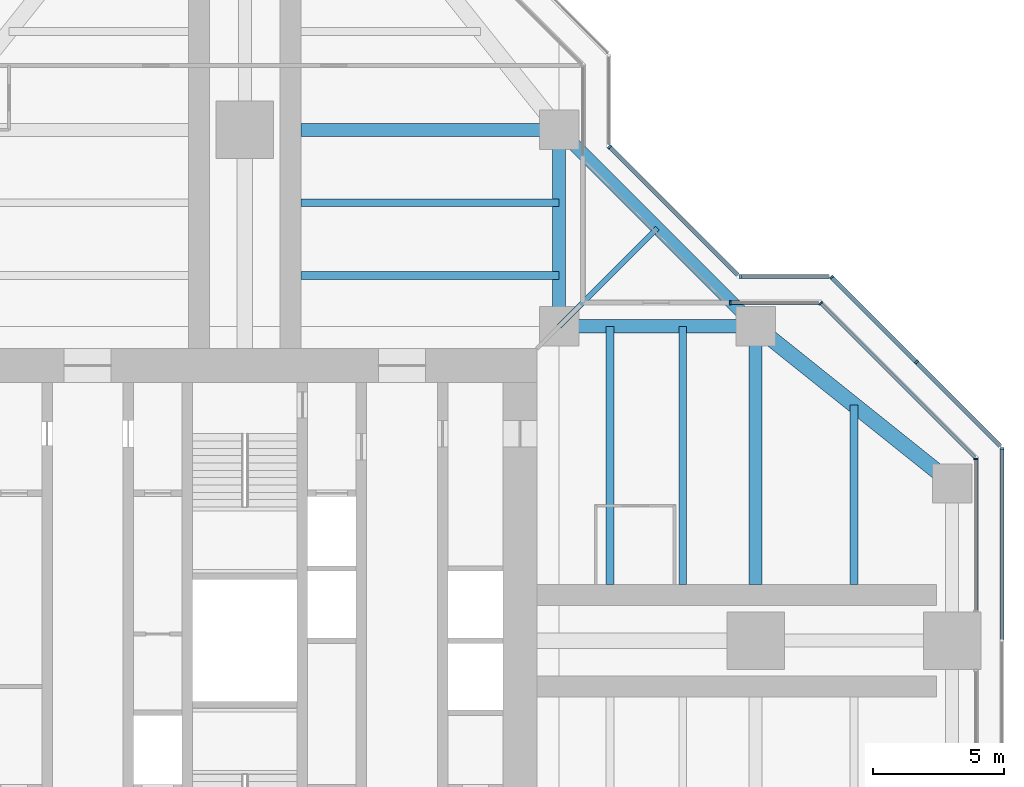
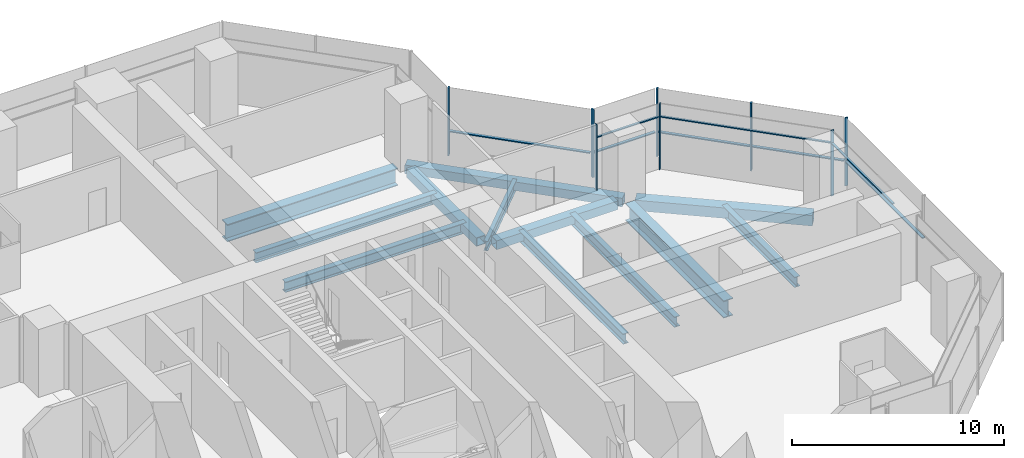
# One storey, part 8 of 17: 16 members, 12 beams, 7 elements without a shape of their own.
"""IFC4 building model written with IfcOpenShell, lengths in metres."""

import ifcopenshell
import ifcopenshell.guid

model = None  # the IFC model being written
_history = None  # IfcOwnerHistory: only IFC2X3 demands one
_inside = {}  # id of a spatial element -> (the spatial element, [elements in it])
_under = {}  # id of a project, library or spatial element -> (it, [spatial elements below it])
_declared = {}  # id of a project -> (the project, [libraries it declares])
_typed = {}  # id of a type object -> (the type object, [elements of that type])
_made_of = {}  # id of a material, layer set ... -> (it, [elements and type objects made of it])


def new_model(schema):
    """Start an empty IFC model of exactly this schema.

    Asked for "IFC4X3", IfcOpenShell would pick the latest addendum, in which some entities
    have other attributes; the version numbers below select the first issue.
    IFC2X3 requires an IfcOwnerHistory on every rooted entity: one is made here for all.
    """
    global model, _history
    if schema == "IFC4X3":
        model = ifcopenshell.file(schema_version=(4, 3, 0, 0))
    else:
        model = ifcopenshell.file(schema=schema)
    _inside.clear()
    _under.clear()
    _declared.clear()
    _typed.clear()
    _made_of.clear()
    _history = None
    if model.schema == "IFC2X3":
        org = make("IfcOrganization", Name="unknown")
        user = make(
            "IfcPersonAndOrganization",
            ThePerson=make("IfcPerson", FamilyName="unknown"),
            TheOrganization=org,
        )
        app = make(
            "IfcApplication",
            ApplicationDeveloper=org,
            Version="unknown",
            ApplicationFullName="unknown",
            ApplicationIdentifier="unknown",
        )
        _history = make(
            "IfcOwnerHistory",
            OwningUser=user,
            OwningApplication=app,
            ChangeAction="ADDED",
            CreationDate=0,
        )
    return model


def make(cls, **values):
    """One entity of the class cls with the attributes given. An attribute that is None is left unset."""
    return model.create_entity(
        cls, **{name: value for name, value in values.items() if value is not None}
    )


def rooted(cls, **values):
    """An entity with a GlobalId (a new one), such as an element, a storey or a relation."""
    return make(cls, GlobalId=ifcopenshell.guid.new(), OwnerHistory=_history, **values)


def si_unit(unit_type, name, prefix=None):
    """IfcSIUnit, for example si_unit("LENGTHUNIT", "METRE", prefix="MILLI")."""
    return make("IfcSIUnit", UnitType=unit_type, Prefix=prefix, Name=name)


def assignment(units):
    """IfcUnitAssignment: the units of a project."""
    return None if units is None else make("IfcUnitAssignment", Units=units)


def point(xyz):
    """IfcCartesianPoint."""
    return None if xyz is None else make("IfcCartesianPoint", Coordinates=xyz)


def direction(xyz):
    """IfcDirection."""
    return None if xyz is None else make("IfcDirection", DirectionRatios=xyz)


def frame(location, z_axis=None, x_axis=None):
    """IfcAxis2Placement3D, a coordinate frame: its origin and axes. An axis left out is left unset."""
    return make(
        "IfcAxis2Placement3D",
        Location=point(location),
        Axis=direction(z_axis),
        RefDirection=direction(x_axis),
    )


def frame_2d(location, x_axis=None):
    """IfcAxis2Placement2D, a coordinate frame in the plane: its origin and x axis."""
    return make(
        "IfcAxis2Placement2D", Location=point(location), RefDirection=direction(x_axis)
    )


def origin():
    """The frame at (0, 0, 0) with its axes left unset."""
    return frame((0.0, 0.0, 0.0))


def origin_2d():
    """The frame at (0, 0) in the plane with its x axis left unset."""
    return frame_2d((0.0, 0.0))


def place(relative_to, where):
    """IfcLocalPlacement: puts the frame where relative to a parent placement (None: the world)."""
    return make(
        "IfcLocalPlacement", PlacementRelTo=relative_to, RelativePlacement=where
    )


def context(
    kind, dimensions, precision=None, world=None, true_north=None, identifier=None
):
    """IfcGeometricRepresentationContext, for example the 3D "Model" context."""
    return make(
        "IfcGeometricRepresentationContext",
        ContextIdentifier=identifier,
        ContextType=kind,
        CoordinateSpaceDimension=dimensions,
        Precision=precision,
        WorldCoordinateSystem=world,
        TrueNorth=true_north,
    )


def subcontext(parent, identifier, kind, view, scale=None):
    """IfcGeometricRepresentationSubContext, for example "Body" below "Model"."""
    return make(
        "IfcGeometricRepresentationSubContext",
        ContextIdentifier=identifier,
        ContextType=kind,
        ParentContext=parent,
        TargetScale=scale,
        TargetView=view,
    )


def project(units=None, contexts=None):
    """IfcProject with its units and contexts."""
    return rooted(
        "IfcProject",
        Name="project",
        RepresentationContexts=contexts,
        UnitsInContext=assignment(units),
    )


def spatial(cls, under=None, at=None, **own):
    """A site, building, storey or space (cls), placed at a placement, below another one or the project."""
    s = rooted(cls, ObjectPlacement=at, **own)
    if under is not None:
        _under.setdefault(under.id(), (under, []))[1].append(s)
    return s


def profile(cls, at=None, kind="AREA", **sizes):
    """A parametric profile (cls). Its sizes go by their IFC names, for example OverallWidth=200.0."""
    return make(cls, ProfileType=kind, Position=at, **sizes)


def rectangle(**sizes):
    """IfcRectangleProfileDef."""
    return profile("IfcRectangleProfileDef", **sizes)


def hollow_rectangle(**sizes):
    """IfcRectangleHollowProfileDef."""
    return profile("IfcRectangleHollowProfileDef", **sizes)


def i_section(**sizes):
    """IfcIShapeProfileDef."""
    return profile("IfcIShapeProfileDef", **sizes)


def extrude(swept, where, along, depth):
    """IfcExtrudedAreaSolid: the profile swept, set in the frame where, extruded along a direction by depth."""
    return make(
        "IfcExtrudedAreaSolid",
        SweptArea=swept,
        Position=where,
        ExtrudedDirection=direction(along),
        Depth=depth,
    )


def shape(context_of_items, identifier, shape_type, items):
    """IfcShapeRepresentation: the items that make up one representation, for example the "Body"."""
    return make(
        "IfcShapeRepresentation",
        ContextOfItems=context_of_items,
        RepresentationIdentifier=identifier,
        RepresentationType=shape_type,
        Items=items,
    )


def material(Name=None, Category=None):
    """IfcMaterial."""
    return make("IfcMaterial", Name=Name, Category=Category)


def material_profile(
    of_material, cross_section, Name=None, Category=None, Priority=None
):
    """IfcMaterialProfile: a cross section and its material."""
    return make(
        "IfcMaterialProfile",
        Name=Name,
        Material=of_material,
        Profile=cross_section,
        Priority=Priority,
        Category=Category,
    )


def profile_set(profiles, Name=None, composite=None):
    """IfcMaterialProfileSet."""
    return make(
        "IfcMaterialProfileSet",
        Name=Name,
        MaterialProfiles=profiles,
        CompositeProfile=composite,
    )


def made_of(thing, what):
    """Note that an element or type object is made of a material, layer set ...; save() writes the relation."""
    if what is not None:
        _made_of.setdefault(what.id(), (what, []))[1].append(thing)
    return thing


def type_object(cls, material=None, **own):
    """A type object (cls), such as IfcWallType, which elements share."""
    return made_of(rooted(cls, **own), material)


def element(
    cls,
    number,
    at=None,
    inside=None,
    cuts=None,
    type_object=None,
    material=None,
    context=None,
    identifier="Body",
    shape_type=None,
    held_by="IfcProductDefinitionShape",
    body=None,
    shapes=None,
    **own,
):
    """One element of the class cls, such as IfcWall. Its Tag is "e" and its number.

    at: its placement. inside: the storey or other place that contains it. cuts: it is an
    opening in that element (IfcRelVoidsElement). A single representation is given by context,
    identifier, shape_type and body (its items); several are given by shapes. held_by: the class
    of the entity that holds the representations. save() writes the other relations.
    """
    e = rooted(cls, Tag="e%d" % number, ObjectPlacement=at, **own)
    if body is not None:
        shapes = [shape(context, identifier, shape_type, body)]
    if shapes is not None:
        e.Representation = make(held_by, Representations=shapes)
    if inside is not None:
        _inside.setdefault(inside.id(), (inside, []))[1].append(e)
    if cuts is not None:
        rooted(
            "IfcRelVoidsElement", RelatingBuildingElement=cuts, RelatedOpeningElement=e
        )
    if type_object is not None:
        _typed.setdefault(type_object.id(), (type_object, []))[1].append(e)
    return made_of(e, material)


def aggregate(whole, parts):
    """IfcRelAggregates: a whole, such as a stair, and the parts it consists of."""
    return rooted("IfcRelAggregates", RelatingObject=whole, RelatedObjects=parts)


def save(model, path):
    """Write the relations noted so far, then the file.

    IfcRelAggregates (storeys below a building ...), IfcRelContainedInSpatialStructure (elements
    in a storey), IfcRelDefinesByType, IfcRelAssociatesMaterial and IfcRelDeclares: one each for
    every whole, place, type object, material and project.
    """
    for whole, parts in _under.values():
        aggregate(whole, parts)
    for where, things in _inside.values():
        rooted(
            "IfcRelContainedInSpatialStructure",
            RelatedElements=things,
            RelatingStructure=where,
        )
    for kind, things in _typed.values():
        rooted("IfcRelDefinesByType", RelatedObjects=things, RelatingType=kind)
    for what, things in _made_of.values():
        rooted("IfcRelAssociatesMaterial", RelatedObjects=things, RelatingMaterial=what)
    for by, libraries in _declared.values():
        rooted("IfcRelDeclares", RelatingContext=by, RelatedDefinitions=libraries)
    model.write(path)


model = new_model("IFC4")

# Units and contexts
model_context = context("Model", 3, precision=1e-05, world=origin(), true_north=direction((0.0, 1.0)))
body_context = subcontext(model_context, "Body", "Model", "MODEL_VIEW")
ifc_project = project(units=[si_unit("LENGTHUNIT", "METRE"), si_unit("AREAUNIT", "SQUARE_METRE"), si_unit("VOLUMEUNIT", "CUBIC_METRE"), si_unit("PLANEANGLEUNIT", "RADIAN"), si_unit("MASSUNIT", "GRAM", prefix="KILO")], contexts=[model_context])

# Site, building, storey
site_placement = place(None, origin())
site = spatial("IfcSite", under=ifc_project, at=site_placement, CompositionType="ELEMENT")
building_placement = place(site_placement, origin())
building = spatial("IfcBuilding", under=site, at=building_placement, Name="Mizan Broadcast Tower", CompositionType="ELEMENT")
storey_placement = place(building_placement, frame((0.0, 0.0, 263.39990234375)))
storey = spatial("IfcBuildingStorey", under=building, at=storey_placement, Name="L62", CompositionType="ELEMENT", Elevation=263.39990234375)

# Beams
ifc_material_1 = material(Name="Steel S355", Category="steel")
ifc_material_profile_1 = material_profile(ifc_material_1, hollow_rectangle(XDim=0.5, YDim=0.5, WallThickness=0.030029296875, at=origin_2d()), Name="BOX 500x500x30")
ifc_profile_set_1 = profile_set([ifc_material_profile_1], Name="Steel S355")
beam_type_1 = type_object("IfcBeamType", Name="EDGE BEAM BOX 500x500x30", PredefinedType="SPANDREL", material=ifc_profile_set_1)
for number, where, z_axis, x_axis, name in (
    (1, (12.449951171875, 12.0, -0.3798828125), (1.0, 0.0, 0.0), (0.0, 1.0, 0.0), "Edge beam BOX 500x500x30 L62 east arm"),
    (2, (12.0, 12.449951171875, -0.3798828125), (0.0, 1.0, 0.0), (-1.0, 0.0, 0.0), "Edge beam BOX 500x500x30 L62 north arm"),
):
    element("IfcBeam", number, at=place(storey_placement, frame(where, z_axis=z_axis, x_axis=x_axis)), inside=storey, type_object=beam_type_1, Name=name, PredefinedType="SPANDREL", context=body_context, shape_type="SweptSolid", body=[
        extrude(hollow_rectangle(XDim=0.5, YDim=0.5, WallThickness=0.030029296875, at=origin_2d()), origin(), (0.0, 0.0, 1.0), 6.60009765625),
    ])
beam_1_placement = place(storey_placement, frame((19.5, 12.0, -0.3798828125), z_axis=(-0.707106781187, 0.707106781187, 0.0), x_axis=(-0.707106781187, -0.707106781187, 0.0)))
element("IfcBeam", 3, at=beam_1_placement, inside=storey, type_object=beam_type_1, Name="Winter garden edge beam L62 E", PredefinedType="SPANDREL", context=body_context, shape_type="SweptSolid", body=[
    extrude(hollow_rectangle(XDim=0.5, YDim=0.5, WallThickness=0.030029296875, at=origin_2d()), origin(), (0.0, 0.0, 1.0), 10.606689453125),
])
ifc_material_2 = material(Name="Steel S355", Category="steel")
ifc_material_profile_2 = material_profile(ifc_material_2, hollow_rectangle(XDim=0.60009765625, YDim=0.60009765625, WallThickness=0.030029296875, at=origin_2d()), Name="BOX 600x600x30")
ifc_profile_set_2 = profile_set([ifc_material_profile_2], Name="Steel S355")
beam_type_2 = type_object("IfcBeamType", Name="EDGE BEAM BOX 600x600x30", PredefinedType="SPANDREL", material=ifc_profile_set_2)
beam_2_placement = place(storey_placement, frame((19.949951171875, 11.639892578125, -0.429931640625), z_axis=(0.780885717636, -0.624673911726, 0.0), x_axis=(0.624673911726, 0.780885717636, 0.0)))
element("IfcBeam", 4, at=beam_2_placement, inside=storey, type_object=beam_type_2, Name="Edge beam BOX 600x600x30 L62 east arm", PredefinedType="SPANDREL", context=body_context, shape_type="SweptSolid", body=[
    extrude(hollow_rectangle(XDim=0.60009765625, YDim=0.60009765625, WallThickness=0.030029296875, at=origin_2d()), origin(), (0.0, 0.0, 1.0), 8.4521484375),
])
ifc_material_3 = material(Name="Steel S460", Category="steel")
ifc_material_profile_3 = material_profile(ifc_material_3, i_section(OverallWidth=0.5, OverallDepth=1.0, WebThickness=0.02490234375, FlangeThickness=0.050048828125, at=origin_2d()), Name="WPG 1000x500")
ifc_profile_set_3 = profile_set([ifc_material_profile_3], Name="Steel S460")
beam_type_3 = type_object("IfcBeamType", Name="GIRDER WPG 1000x500", PredefinedType="BEAM", material=ifc_profile_set_3)
for number, where, z_axis, x_axis, name in (
    (5, (19.5, 11.408935546875, -0.6298828125), (0.0, -1.0, 0.0), (1.0, 0.0, 0.0), "Girder WPG 1000x500 L62 east arm"),
    (6, (11.408935546875, 19.5, -0.6298828125), (-1.0, 0.0, 0.0), (0.0, -1.0, 0.0), "Girder WPG 1000x500 L62 north arm"),
):
    element("IfcBeam", number, at=place(storey_placement, frame(where, z_axis=z_axis, x_axis=x_axis)), inside=storey, type_object=beam_type_3, Name=name, PredefinedType="BEAM", context=body_context, shape_type="SweptSolid", body=[
        extrude(i_section(OverallWidth=0.5, OverallDepth=1.0, WebThickness=0.02490234375, FlangeThickness=0.050048828125, at=origin_2d()), origin(), (0.0, 0.0, 1.0), 9.259033203125),
    ])

# Curtain wall, member
ifc_material_4 = material(Name="Aluminium framed glazing", Category="aluminium")
curtain_wall_type_1 = type_object("IfcCurtainWallType", Name="INNER SKIN HIGH ZONE", PredefinedType="USERDEFINED", material=ifc_material_4)
curtain_wall_1_placement = place(storey_placement, origin())
curtain_wall_1 = element("IfcCurtainWall", 7, at=curtain_wall_1_placement, inside=storey, type_object=curtain_wall_type_1, Name="Inner skin high zone L62 E end", ObjectType="INNER SKIN HIGH ZONE", PredefinedType="USERDEFINED")
ifc_material_5 = material(Name="Aluminium, pale anodised", Category="aluminium")
ifc_material_profile_4 = material_profile(ifc_material_5, rectangle(XDim=0.159912109375, YDim=0.06005859375, at=origin_2d()), Name="MULLION 160x60")
ifc_profile_set_4 = profile_set([ifc_material_profile_4], Name="Aluminium, pale anodised")
member_type_1 = type_object("IfcMemberType", Name="INNER SKIN MULLION 60x160", PredefinedType="MULLION", material=ifc_profile_set_4)
member_1_placement = place(storey_placement, frame((27.89990234375, 6.928466796875, 0.0), z_axis=(0.0, 0.0, 1.0), x_axis=(-1.0, 0.0, 0.0)))
member_1 = element("IfcMember", 8, at=member_1_placement, type_object=member_type_1, Name="Inner skin high zone L62 E end mullion 2", PredefinedType="MULLION", context=body_context, shape_type="SweptSolid", body=[
    extrude(rectangle(XDim=0.159912109375, YDim=0.06005859375, at=origin_2d()), origin(), (0.0, 0.0, 1.0), 3.77001953125),
])

curtain_wall_2_placement = place(storey_placement, origin())
curtain_wall_2 = element("IfcCurtainWall", 9, at=curtain_wall_2_placement, inside=storey, type_object=curtain_wall_type_1, Name="Inner skin high zone L62 E chamfer", ObjectType="INNER SKIN HIGH ZONE", PredefinedType="USERDEFINED")
member_2_placement = place(storey_placement, frame((21.979736328125, 12.87890625, 0.0), z_axis=(0.0, 0.0, 1.0), x_axis=(-0.707106781187, -0.707106781187, 0.0)))
member_2 = element("IfcMember", 10, at=member_2_placement, type_object=member_type_1, Name="Inner skin high zone L62 E chamfer mullion 2", PredefinedType="MULLION", context=body_context, shape_type="SweptSolid", body=[
    extrude(rectangle(XDim=0.159912109375, YDim=0.06005859375, at=origin_2d()), origin(), (0.0, 0.0, 1.0), 3.77001953125),
])

curtain_wall_3_placement = place(storey_placement, origin())
curtain_wall_3 = element("IfcCurtainWall", 11, at=curtain_wall_3_placement, inside=storey, type_object=curtain_wall_type_1, Name="Inner skin high zone L62 E side", ObjectType="INNER SKIN HIGH ZONE", PredefinedType="USERDEFINED")
member_3_placement = place(storey_placement, frame((18.530029296875, 12.89990234375, 0.0), z_axis=(0.0, 0.0, 1.0), x_axis=(0.0, -1.0, 0.0)))
member_3 = element("IfcMember", 12, at=member_3_placement, type_object=member_type_1, Name="Inner skin high zone L62 E side mullion 2", PredefinedType="MULLION", context=body_context, shape_type="SweptSolid", body=[
    extrude(rectangle(XDim=0.159912109375, YDim=0.06005859375, at=origin_2d()), origin(), (0.0, 0.0, 1.0), 3.77001953125),
])

# Member
ifc_material_6 = material(Name="Aluminium, pale anodised", Category="aluminium")
ifc_material_profile_5 = material_profile(ifc_material_6, rectangle(XDim=0.1201171875, YDim=0.06005859375, at=origin_2d()), Name="TRANSOM 120x60")
ifc_profile_set_5 = profile_set([ifc_material_profile_5], Name="Aluminium, pale anodised")
member_type_2 = type_object("IfcMemberType", Name="INNER SKIN TRANSOM 60x120", PredefinedType="USERDEFINED", material=ifc_profile_set_5)
member_4_placement = place(storey_placement, frame((27.89990234375, 1.159912109375, 3.030029296875), z_axis=(0.0, 1.0, 0.0), x_axis=(-1.0, 0.0, 0.0)))
member_4 = element("IfcMember", 13, at=member_4_placement, type_object=member_type_2, Name="Inner skin high zone L62 E end transom 1.1", ObjectType="TRANSOM", PredefinedType="USERDEFINED", context=body_context, shape_type="SweptSolid", body=[
    extrude(rectangle(XDim=0.1201171875, YDim=0.06005859375, at=origin_2d()), origin(), (0.0, 0.0, 1.0), 5.73876953125),
])

aggregate(curtain_wall_1, [member_1, member_4])

member_5_placement = place(storey_placement, frame((27.857666015625, 7.0009765625, 3.030029296875), z_axis=(-0.707106781187, 0.707106781187, 0.0), x_axis=(-0.707106781187, -0.707106781187, 0.0)))
member_5 = element("IfcMember", 14, at=member_5_placement, type_object=member_type_2, Name="Inner skin high zone L62 E chamfer transom 1.1", ObjectType="TRANSOM", PredefinedType="USERDEFINED", context=body_context, shape_type="SweptSolid", body=[
    extrude(rectangle(XDim=0.1201171875, YDim=0.06005859375, at=origin_2d()), origin(), (0.0, 0.0, 1.0), 8.28271484375),
])

aggregate(curtain_wall_2, [member_2, member_5])

member_6_placement = place(storey_placement, frame((21.898681640625, 12.89990234375, 3.030029296875), z_axis=(-1.0, 0.0, 0.0), x_axis=(0.0, -1.0, 0.0)))
member_6 = element("IfcMember", 15, at=member_6_placement, type_object=member_type_2, Name="Inner skin high zone L62 E side transom 1.1", ObjectType="TRANSOM", PredefinedType="USERDEFINED", context=body_context, shape_type="SweptSolid", body=[
    extrude(rectangle(XDim=0.1201171875, YDim=0.06005859375, at=origin_2d()), origin(), (0.0, 0.0, 1.0), 3.338623046875),
])

aggregate(curtain_wall_3, [member_3, member_6])

# Curtain wall, member
ifc_material_7 = material(Name="Aluminium framed glazing", Category="aluminium")
curtain_wall_type_2 = type_object("IfcCurtainWallType", Name="OUTER SKIN", PredefinedType="USERDEFINED", material=ifc_material_7)
curtain_wall_4_placement = place(storey_placement, origin())
curtain_wall_4 = element("IfcCurtainWall", 16, at=curtain_wall_4_placement, inside=storey, type_object=curtain_wall_type_2, Name="Outer skin L62 E end", ObjectType="OUTER SKIN", PredefinedType="USERDEFINED")
ifc_material_8 = material(Name="Aluminium, pale anodised", Category="aluminium")
ifc_material_profile_6 = material_profile(ifc_material_8, rectangle(XDim=0.159912109375, YDim=0.080078125, at=origin_2d()), Name="MULLION 160x80")
ifc_profile_set_6 = profile_set([ifc_material_profile_6], Name="Aluminium, pale anodised")
member_type_3 = type_object("IfcMemberType", Name="OUTER SKIN MULLION 80x160", PredefinedType="MULLION", material=ifc_profile_set_6)
member_7_placement = place(storey_placement, frame((28.89990234375, 7.332763671875, 0.0), z_axis=(0.0, 0.0, 1.0), x_axis=(-1.0, 0.0, 0.0)))
member_7 = element("IfcMember", 17, at=member_7_placement, type_object=member_type_3, Name="Outer skin L62 E end mullion 3", PredefinedType="MULLION", context=body_context, shape_type="SweptSolid", body=[
    extrude(rectangle(XDim=0.159912109375, YDim=0.080078125, at=origin_2d()), origin(), (0.0, 0.0, 1.0), 3.900146484375),
])

# Curtain wall, members
curtain_wall_5_placement = place(storey_placement, origin())
curtain_wall_5 = element("IfcCurtainWall", 18, at=curtain_wall_5_placement, inside=storey, type_object=curtain_wall_type_2, Name="Outer skin L62 E chamfer", ObjectType="OUTER SKIN", PredefinedType="USERDEFINED")
member_8_placement = place(storey_placement, frame((25.636474609375, 10.636474609375, 0.0), z_axis=(0.0, 0.0, 1.0), x_axis=(-0.707106781187, -0.707106781187, 0.0)))
member_8 = element("IfcMember", 19, at=member_8_placement, type_object=member_type_3, Name="Outer skin L62 E chamfer mullion 2", PredefinedType="MULLION", context=body_context, shape_type="SweptSolid", body=[
    extrude(rectangle(XDim=0.159912109375, YDim=0.080078125, at=origin_2d()), origin(), (0.0, 0.0, 1.0), 3.900146484375),
])
member_9_placement = place(storey_placement, frame((22.401123046875, 13.871826171875, 0.0), z_axis=(0.0, 0.0, 1.0), x_axis=(-0.707106781187, -0.707106781187, 0.0)))
member_9 = element("IfcMember", 20, at=member_9_placement, type_object=member_type_3, Name="Outer skin L62 E chamfer mullion 3", PredefinedType="MULLION", context=body_context, shape_type="SweptSolid", body=[
    extrude(rectangle(XDim=0.159912109375, YDim=0.080078125, at=origin_2d()), origin(), (0.0, 0.0, 1.0), 3.900146484375),
])

# Curtain wall, member
curtain_wall_6_placement = place(storey_placement, origin())
curtain_wall_6 = element("IfcCurtainWall", 21, at=curtain_wall_6_placement, inside=storey, type_object=curtain_wall_type_2, Name="Outer skin L62 E side", ObjectType="OUTER SKIN", PredefinedType="USERDEFINED")
member_10_placement = place(storey_placement, frame((18.912841796875, 13.89990234375, 0.0), z_axis=(0.0, 0.0, 1.0), x_axis=(0.0, -1.0, 0.0)))
member_10 = element("IfcMember", 22, at=member_10_placement, type_object=member_type_3, Name="Outer skin L62 E side mullion 2", PredefinedType="MULLION", context=body_context, shape_type="SweptSolid", body=[
    extrude(rectangle(XDim=0.159912109375, YDim=0.080078125, at=origin_2d()), origin(), (0.0, 0.0, 1.0), 3.900146484375),
])

curtain_wall_7_placement = place(storey_placement, origin())
curtain_wall_7 = element("IfcCurtainWall", 23, at=curtain_wall_7_placement, inside=storey, type_object=curtain_wall_type_2, Name="Outer skin L62 E chamfer", ObjectType="OUTER SKIN", PredefinedType="USERDEFINED")
member_11_placement = place(storey_placement, frame((13.92822265625, 18.844482421875, 0.0), z_axis=(0.0, 0.0, 1.0), x_axis=(-0.707106781187, -0.707106781187, 0.0)))
member_11 = element("IfcMember", 24, at=member_11_placement, type_object=member_type_3, Name="Outer skin L62 E chamfer mullion 2", PredefinedType="MULLION", context=body_context, shape_type="SweptSolid", body=[
    extrude(rectangle(XDim=0.159912109375, YDim=0.080078125, at=origin_2d()), origin(), (0.0, 0.0, 1.0), 3.900146484375),
])

# Member
ifc_material_9 = material(Name="Aluminium, pale anodised", Category="aluminium")
ifc_material_profile_7 = material_profile(ifc_material_9, rectangle(XDim=0.159912109375, YDim=0.06005859375, at=origin_2d()), Name="TRANSOM 160x60")
ifc_profile_set_7 = profile_set([ifc_material_profile_7], Name="Aluminium, pale anodised")
member_type_4 = type_object("IfcMemberType", Name="OUTER SKIN TRANSOM 60x160", PredefinedType="USERDEFINED", material=ifc_profile_set_7)
member_12_placement = place(storey_placement, frame((28.89990234375, 0.0400390625, 1.400146484375), z_axis=(0.0, 1.0, 0.0), x_axis=(-1.0, 0.0, 0.0)))
member_12 = element("IfcMember", 25, at=member_12_placement, type_object=member_type_4, Name="Outer skin L62 E end transom 2.1", ObjectType="TRANSOM", PredefinedType="USERDEFINED", context=body_context, shape_type="SweptSolid", body=[
    extrude(rectangle(XDim=0.159912109375, YDim=0.06005859375, at=origin_2d()), origin(), (0.0, 0.0, 1.0), 7.252685546875),
])

aggregate(curtain_wall_4, [member_7, member_12])

member_13_placement = place(storey_placement, frame((28.843505859375, 7.429443359375, 1.400146484375), z_axis=(-0.707106781187, 0.707106781187, 0.0), x_axis=(-0.707106781187, -0.707106781187, 0.0)))
member_13 = element("IfcMember", 26, at=member_13_placement, type_object=member_type_4, Name="Outer skin L62 E chamfer transom 1.1", ObjectType="TRANSOM", PredefinedType="USERDEFINED", context=body_context, shape_type="SweptSolid", body=[
    extrude(rectangle(XDim=0.159912109375, YDim=0.06005859375, at=origin_2d()), origin(), (0.0, 0.0, 1.0), 4.495361328125),
])

member_14_placement = place(storey_placement, frame((25.608154296875, 10.664794921875, 1.400146484375), z_axis=(-0.707106781187, 0.707106781187, 0.0), x_axis=(-0.707106781187, -0.707106781187, 0.0)))
member_14 = element("IfcMember", 27, at=member_14_placement, type_object=member_type_4, Name="Outer skin L62 E chamfer transom 2.1", ObjectType="TRANSOM", PredefinedType="USERDEFINED", context=body_context, shape_type="SweptSolid", body=[
    extrude(rectangle(XDim=0.159912109375, YDim=0.06005859375, at=origin_2d()), origin(), (0.0, 0.0, 1.0), 4.495361328125),
])

aggregate(curtain_wall_5, [member_8, member_9, member_13, member_14])

member_15_placement = place(storey_placement, frame((22.292724609375, 13.89990234375, 1.400146484375), z_axis=(-1.0, 0.0, 0.0), x_axis=(0.0, -1.0, 0.0)))
member_15 = element("IfcMember", 28, at=member_15_placement, type_object=member_type_4, Name="Outer skin L62 E side transom 1.1", ObjectType="TRANSOM", PredefinedType="USERDEFINED", context=body_context, shape_type="SweptSolid", body=[
    extrude(rectangle(XDim=0.159912109375, YDim=0.06005859375, at=origin_2d()), origin(), (0.0, 0.0, 1.0), 3.33984375),
])

aggregate(curtain_wall_6, [member_10, member_15])

member_16_placement = place(storey_placement, frame((18.816162109375, 13.95654296875, 1.400146484375), z_axis=(-0.707106781187, 0.707106781187, 0.0), x_axis=(-0.707106781187, -0.707106781187, 0.0)))
member_16 = element("IfcMember", 29, at=member_16_placement, type_object=member_type_4, Name="Outer skin L62 E chamfer transom 1.1", ObjectType="TRANSOM", PredefinedType="USERDEFINED", context=body_context, shape_type="SweptSolid", body=[
    extrude(rectangle(XDim=0.159912109375, YDim=0.06005859375, at=origin_2d()), origin(), (0.0, 0.0, 1.0), 6.87255859375),
])

aggregate(curtain_wall_7, [member_11, member_16])

# Beams
ifc_material_10 = material(Name="Steel S355", Category="steel")
ifc_material_profile_8 = material_profile(ifc_material_10, i_section(OverallWidth=0.300048828125, OverallDepth=0.590087890625, WebThickness=0.012939453125, FlangeThickness=0.02490234375, FilletRadius=0.027099609375, at=origin_2d()), Name="HEA 600")
ifc_profile_set_8 = profile_set([ifc_material_profile_8], Name="Steel S355")
beam_type_4 = type_object("IfcBeamType", Name="SECONDARY BEAM HEA 600", PredefinedType="JOIST", material=ifc_profile_set_8)
for number, where, z_axis, x_axis, name in (
    (30, (13.933349609375, 12.0, -0.4248046875), (0.0, -1.0, 0.0), (1.0, 0.0, 0.0), "Secondary beam HEA 600 L62 east arm"),
    (31, (16.716552734375, 12.0, -0.4248046875), (0.0, -1.0, 0.0), (1.0, 0.0, 0.0), "Secondary beam HEA 600 L62 east arm"),
):
    element("IfcBeam", number, at=place(storey_placement, frame(where, z_axis=z_axis, x_axis=x_axis)), inside=storey, type_object=beam_type_4, Name=name, PredefinedType="JOIST", context=body_context, shape_type="SweptSolid", body=[
        extrude(i_section(OverallWidth=0.300048828125, OverallDepth=0.590087890625, WebThickness=0.012939453125, FlangeThickness=0.02490234375, FilletRadius=0.027099609375, at=origin_2d()), origin(), (0.0, 0.0, 1.0), 9.85009765625),
    ])
beam_3_placement = place(storey_placement, frame((23.25, 9.0, -0.4248046875), z_axis=(0.0, -1.0, 0.0), x_axis=(1.0, 0.0, 0.0)))
element("IfcBeam", 32, at=beam_3_placement, inside=storey, type_object=beam_type_4, Name="Secondary beam HEA 600 L62 east arm", PredefinedType="JOIST", context=body_context, shape_type="SweptSolid", body=[
    extrude(i_section(OverallWidth=0.300048828125, OverallDepth=0.590087890625, WebThickness=0.012939453125, FlangeThickness=0.02490234375, FilletRadius=0.027099609375, at=origin_2d()), origin(), (0.0, 0.0, 1.0), 6.85009765625),
])
for number, where, z_axis, x_axis, name in (
    (33, (12.0, 13.933349609375, -0.4248046875), (-1.0, 0.0, 0.0), (0.0, -1.0, 0.0), "Secondary beam HEA 600 L62 north arm"),
    (34, (12.0, 16.716552734375, -0.4248046875), (-1.0, 0.0, 0.0), (0.0, -1.0, 0.0), "Secondary beam HEA 600 L62 north arm"),
):
    element("IfcBeam", number, at=place(storey_placement, frame(where, z_axis=z_axis, x_axis=x_axis)), inside=storey, type_object=beam_type_4, Name=name, PredefinedType="JOIST", context=body_context, shape_type="SweptSolid", body=[
        extrude(i_section(OverallWidth=0.300048828125, OverallDepth=0.590087890625, WebThickness=0.012939453125, FlangeThickness=0.02490234375, FilletRadius=0.027099609375, at=origin_2d()), origin(), (0.0, 0.0, 1.0), 9.85009765625),
    ])
ifc_material_11 = material(Name="Steel S355", Category="steel")
ifc_material_profile_9 = material_profile(ifc_material_11, i_section(OverallWidth=0.2099609375, OverallDepth=0.550048828125, WebThickness=0.010986328125, FlangeThickness=0.01708984375, FilletRadius=0.02392578125, at=origin_2d()), Name="IPE 550")
ifc_profile_set_9 = profile_set([ifc_material_profile_9], Name="Steel S355")
beam_type_5 = type_object("IfcBeamType", Name="SECONDARY BEAM IPE 550", PredefinedType="JOIST", material=ifc_profile_set_9)
beam_4_placement = place(storey_placement, frame((12.0, 12.0, -0.40478515625), z_axis=(0.707106781187, 0.707106781187, 0.0), x_axis=(-0.707106781187, 0.707106781187, 0.0)))
element("IfcBeam", 35, at=beam_4_placement, inside=storey, type_object=beam_type_5, Name="Winter garden beam L62 E", PredefinedType="JOIST", context=body_context, shape_type="SweptSolid", body=[
    extrude(i_section(OverallWidth=0.2099609375, OverallDepth=0.550048828125, WebThickness=0.010986328125, FlangeThickness=0.01708984375, FilletRadius=0.02392578125, at=origin_2d()), origin(), (0.0, 0.0, 1.0), 5.30322265625),
])

save(model, "model.ifc")
